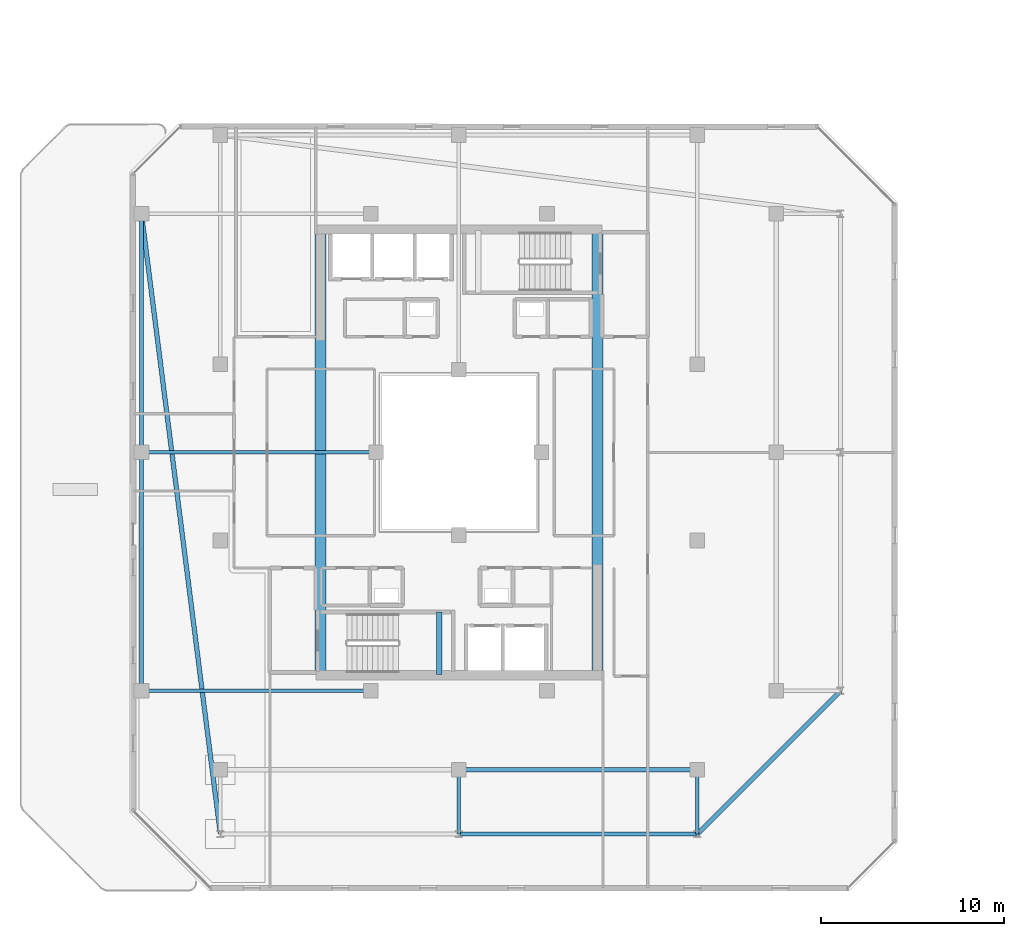
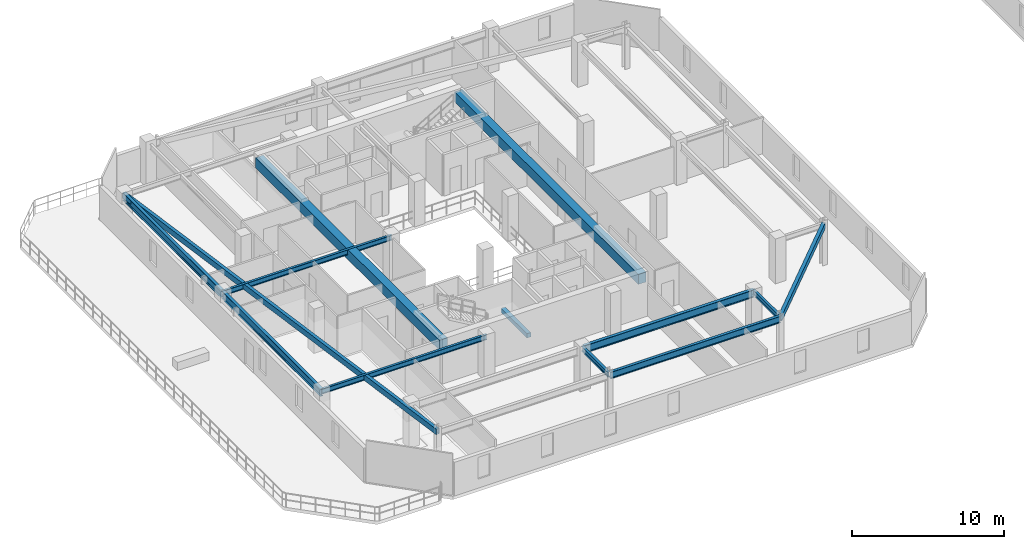
# One storey, part 4 of 31: 13 beams.
"""IFC4 building model written with IfcOpenShell, lengths in metres."""

from ifc_helpers import new_model, si_unit, direction, frame, origin, origin_2d, place, context, subcontext, project, spatial, rectangle, hollow_rectangle, i_section, extrude, material, material_profile, profile_set, type_object, element, save


model = new_model("IFC4")

# Units and contexts
model_context = context("Model", 3, precision=1e-05, world=origin(), true_north=direction((0.0, 1.0)))
body_context = subcontext(model_context, "Body", "Model", "MODEL_VIEW")
ifc_project = project(units=[si_unit("LENGTHUNIT", "METRE"), si_unit("AREAUNIT", "SQUARE_METRE"), si_unit("VOLUMEUNIT", "CUBIC_METRE"), si_unit("PLANEANGLEUNIT", "RADIAN"), si_unit("MASSUNIT", "GRAM", prefix="KILO")], contexts=[model_context])

# Site, building, storey
site_placement = place(None, origin())
site = spatial("IfcSite", under=ifc_project, at=site_placement, CompositionType="ELEMENT")
building_placement = place(site_placement, origin())
building = spatial("IfcBuilding", under=site, at=building_placement, Name="Thornwick Lancets Civic Towers", CompositionType="ELEMENT")
storey_placement = place(building_placement, frame((0.0, 0.0, 254.699951171875)))
storey = spatial("IfcBuildingStorey", under=building, at=storey_placement, Name="L68", CompositionType="ELEMENT", Elevation=254.699951171875)

# Beams
ifc_material_1 = material(Name="Concrete C60/75", Category="concrete")
ifc_material_profile_1 = material_profile(ifc_material_1, rectangle(XDim=0.60009765625, YDim=0.800048828125, at=origin_2d()), Name="RC 600x800")
ifc_profile_set_1 = profile_set([ifc_material_profile_1], Name="Concrete C60/75")
beam_type_1 = type_object("IfcBeamType", Name="BM_COUP_RC800", PredefinedType="BEAM", material=ifc_profile_set_1)
for number, where, z_axis, x_axis, name in (
    (1, (33.050048828125, 14.89990234375, 2.93994140625), (0.0, 1.0, 0.0), (-1.0, 0.0, 0.0), "CB-L68-A1"),
    (2, (17.949951171875, 14.89990234375, 2.93994140625), (0.0, 1.0, 0.0), (-1.0, 0.0, 0.0), "CB-L68-A2"),
):
    element("IfcBeam", number, at=place(storey_placement, frame(where, z_axis=z_axis, x_axis=x_axis)), inside=storey, type_object=beam_type_1, Name=name, PredefinedType="BEAM", context=body_context, shape_type="SweptSolid", body=[
        extrude(rectangle(XDim=0.60009765625, YDim=0.800048828125, at=origin_2d()), origin(), (0.0, 0.0, 1.0), 24.2001953125),
    ])
ifc_material_2 = material(Name="Steel S355JR", Category="steel")
ifc_material_profile_2 = material_profile(ifc_material_2, i_section(OverallWidth=0.210693359375, OverallDepth=0.53955078125, WebThickness=0.01171875, FlangeThickness=0.018798828125, FilletRadius=0.0126953125, at=origin_2d()), Name="UKB 533x210x109")
ifc_profile_set_2 = profile_set([ifc_material_profile_2], Name="Steel S355JR")
beam_type_2 = type_object("IfcBeamType", Name="BM_EDGE_533_109", PredefinedType="SPANDREL", material=ifc_profile_set_2)
beam_1_placement = place(storey_placement, frame((25.580078125, 6.199951171875, 3.0703125), z_axis=(1.0, 0.0, 0.0), x_axis=(0.0, 1.0, 0.0)))
element("IfcBeam", 3, at=beam_1_placement, inside=storey, type_object=beam_type_2, Name="BM-EDGE-L68-A-S0-2", PredefinedType="SPANDREL", context=body_context, shape_type="SweptSolid", body=[
    extrude(i_section(OverallWidth=0.210693359375, OverallDepth=0.53955078125, WebThickness=0.01171875, FlangeThickness=0.018798828125, FilletRadius=0.0126953125, at=origin_2d()), origin(), (0.0, 0.0, 1.0), 12.919921875),
])
ifc_material_profile_3 = material_profile(ifc_material_2, i_section(OverallWidth=0.230224609375, OverallDepth=0.6171875, WebThickness=0.01318359375, FlangeThickness=0.022216796875, FilletRadius=0.0126953125, at=origin_2d()), Name="UKB 610x229x140")
ifc_profile_set_3 = profile_set([ifc_material_profile_3], Name="Steel S355JR")
beam_type_3 = type_object("IfcBeamType", Name="BM_GIRD_610_140", PredefinedType="BEAM", material=ifc_profile_set_3)
beam_2_placement = place(storey_placement, frame((25.580078125, 9.699951171875, 3.031494140625), z_axis=(1.0, 0.0, 0.0), x_axis=(0.0, 1.0, 0.0)))
element("IfcBeam", 4, at=beam_2_placement, inside=storey, type_object=beam_type_3, Name="BM-SPINE-L68-A-1-2", PredefinedType="BEAM", context=body_context, shape_type="SweptSolid", body=[
    extrude(i_section(OverallWidth=0.230224609375, OverallDepth=0.6171875, WebThickness=0.01318359375, FlangeThickness=0.022216796875, FilletRadius=0.0126953125, at=origin_2d()), origin(), (0.0, 0.0, 1.0), 12.919921875),
])
beam_3_placement = place(storey_placement, frame((8.199951171875, 14.0, 3.031494140625), z_axis=(0.0, 1.0, 0.0), x_axis=(-1.0, 0.0, 0.0)))
element("IfcBeam", 5, at=beam_3_placement, inside=storey, type_object=beam_type_3, Name="BM-SPINE-L68-A-9-10", PredefinedType="BEAM", context=body_context, shape_type="SweptSolid", body=[
    extrude(i_section(OverallWidth=0.230224609375, OverallDepth=0.6171875, WebThickness=0.01318359375, FlangeThickness=0.022216796875, FilletRadius=0.0126953125, at=origin_2d()), origin(), (0.0, 0.0, 1.0), 13.0),
])
beam_4_placement = place(storey_placement, frame((8.199951171875, 27.080078125, 3.031494140625), z_axis=(0.0, 1.0, 0.0), x_axis=(-1.0, 0.0, 0.0)))
element("IfcBeam", 6, at=beam_4_placement, inside=storey, type_object=beam_type_3, Name="BM-SPINE-L68-A-10-11", PredefinedType="BEAM", context=body_context, shape_type="SweptSolid", body=[
    extrude(i_section(OverallWidth=0.230224609375, OverallDepth=0.6171875, WebThickness=0.01318359375, FlangeThickness=0.022216796875, FilletRadius=0.0126953125, at=origin_2d()), origin(), (0.0, 0.0, 1.0), 12.919921875),
])
ifc_material_profile_4 = material_profile(ifc_material_2, i_section(OverallWidth=0.179443359375, OverallDepth=0.412841796875, WebThickness=0.009521484375, FlangeThickness=0.01611328125, FilletRadius=0.01025390625, at=origin_2d()), Name="UKB 406x178x74")
ifc_profile_set_4 = profile_set([ifc_material_profile_4], Name="Steel S355JR")
beam_type_4 = type_object("IfcBeamType", Name="BM_JOIST_406_74", PredefinedType="JOIST", material=ifc_profile_set_4)
for number, where, z_axis, x_axis, name in (
    (7, (25.5, 9.699951171875, 3.133544921875), (0.0, -1.0, 0.0), (1.0, 0.0, 0.0), "BM-RAD-L68-A02"),
    (8, (38.5, 9.699951171875, 3.133544921875), (0.0, -1.0, 0.0), (1.0, 0.0, 0.0), "BM-RAD-L68-A03"),
):
    element("IfcBeam", number, at=place(storey_placement, frame(where, z_axis=z_axis, x_axis=x_axis)), inside=storey, type_object=beam_type_4, Name=name, PredefinedType="JOIST", context=body_context, shape_type="SweptSolid", body=[
        extrude(i_section(OverallWidth=0.179443359375, OverallDepth=0.412841796875, WebThickness=0.009521484375, FlangeThickness=0.01611328125, FilletRadius=0.01025390625, at=origin_2d()), origin(), (0.0, 0.0, 1.0), 3.5),
    ])
beam_5_placement = place(storey_placement, frame((20.699951171875, 14.0, 3.133544921875), z_axis=(-1.0, 0.0, 0.0), x_axis=(0.0, -1.0, 0.0)))
element("IfcBeam", 9, at=beam_5_placement, inside=storey, type_object=beam_type_4, Name="BM-RADIN-L68-A10", PredefinedType="JOIST", context=body_context, shape_type="SweptSolid", body=[
    extrude(i_section(OverallWidth=0.179443359375, OverallDepth=0.412841796875, WebThickness=0.009521484375, FlangeThickness=0.01611328125, FilletRadius=0.01025390625, at=origin_2d()), origin(), (0.0, 0.0, 1.0), 12.5),
])
beam_6_placement = place(storey_placement, frame((21.0, 27.0, 3.133544921875), z_axis=(-1.0, 0.0, 0.0), x_axis=(0.0, -1.0, 0.0)))
element("IfcBeam", 10, at=beam_6_placement, inside=storey, type_object=beam_type_4, Name="BM-RADIN-L68-A11", PredefinedType="JOIST", context=body_context, shape_type="SweptSolid", body=[
    extrude(i_section(OverallWidth=0.179443359375, OverallDepth=0.412841796875, WebThickness=0.009521484375, FlangeThickness=0.01611328125, FilletRadius=0.01025390625, at=origin_2d()), origin(), (0.0, 0.0, 1.0), 12.800048828125),
])
ifc_material_profile_5 = material_profile(ifc_material_2, hollow_rectangle(XDim=0.25, YDim=0.449951171875, WallThickness=0.01611328125, at=origin_2d()), Name="RHS 450x250x16")
ifc_profile_set_5 = profile_set([ifc_material_profile_5], Name="Steel S355JR")
beam_type_5 = type_object("IfcBeamType", Name="BM_RING_RHS450", PredefinedType="BEAM", material=ifc_profile_set_5)
beam_7_placement = place(storey_placement, frame((38.5, 6.199951171875, 3.114990234375), z_axis=(0.707106781187, 0.707106781187, 0.0), x_axis=(-0.707106781187, 0.707106781187, 0.0)))
element("IfcBeam", 11, at=beam_7_placement, inside=storey, type_object=beam_type_5, Name="BM-CHAMF-L68-A-C0", PredefinedType="BEAM", context=body_context, shape_type="SweptSolid", body=[
    extrude(hollow_rectangle(XDim=0.25, YDim=0.449951171875, WallThickness=0.01611328125, at=origin_2d()), origin(), (0.0, 0.0, 1.0), 11.031005859375),
])
beam_8_placement = place(storey_placement, frame((8.199951171875, 40.0, 3.114990234375), z_axis=(0.126202998662, -0.992004437051, 0.0), x_axis=(0.992004437051, 0.126202998662, 0.0)))
element("IfcBeam", 12, at=beam_8_placement, inside=storey, type_object=beam_type_5, Name="BM-CHAMF-L68-A-C3", PredefinedType="BEAM", context=body_context, shape_type="SweptSolid", body=[
    extrude(hollow_rectangle(XDim=0.25, YDim=0.449951171875, WallThickness=0.01611328125, at=origin_2d()), origin(), (0.0, 0.0, 1.0), 34.072509765625),
])
ifc_material_3 = material(Name="Concrete C40/50", Category="concrete")
ifc_material_profile_6 = material_profile(ifc_material_3, rectangle(XDim=0.300048828125, YDim=0.35009765625, at=origin_2d()), Name="RC 300x350")
ifc_profile_set_6 = profile_set([ifc_material_profile_6], Name="Concrete C40/50")
beam_type_6 = type_object("IfcBeamType", Name="BM_STAIR_LDG", PredefinedType="BEAM", material=ifc_profile_set_6)
beam_9_placement = place(storey_placement, frame((24.43505859375, 14.89990234375, 1.3779296875), z_axis=(0.0, 1.0, 0.0), x_axis=(-1.0, 0.0, 0.0)))
element("IfcBeam", 13, at=beam_9_placement, inside=storey, type_object=beam_type_6, Name="L68 ST-A1 Landing Support Beam 1", PredefinedType="BEAM", context=body_context, shape_type="SweptSolid", body=[
    extrude(rectangle(XDim=0.300048828125, YDim=0.35009765625, at=origin_2d()), origin(), (0.0, 0.0, 1.0), 3.400146484375),
])

save(model, "model.ifc")
